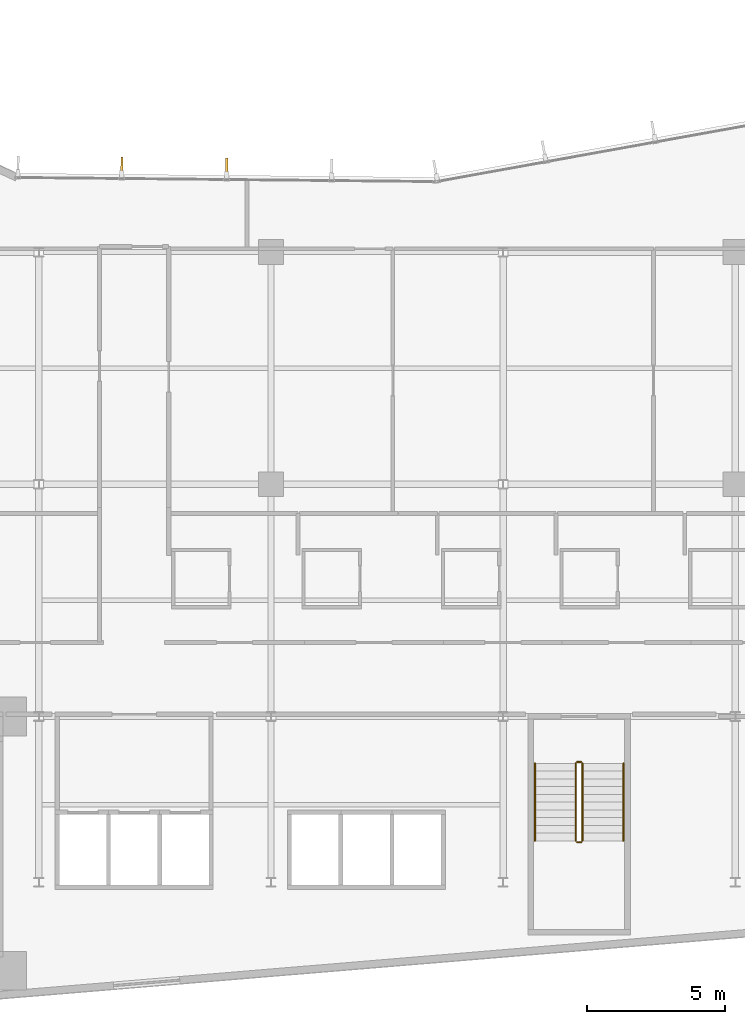
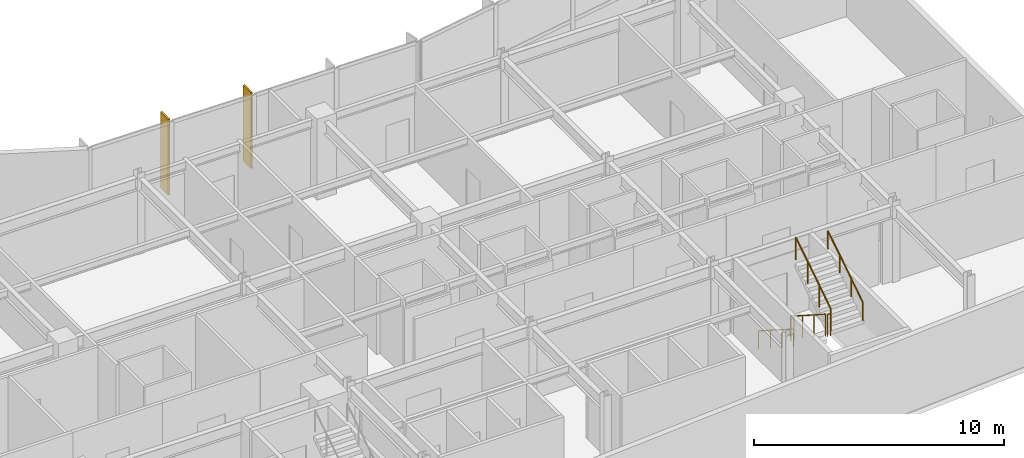
# One storey, part 16 of 19: 6 railings, 2 shading devices.
"""IFC4 building model written with IfcOpenShell, lengths in metres."""

import ifcopenshell
import ifcopenshell.guid

model = None  # the IFC model being written
_history = None  # IfcOwnerHistory: only IFC2X3 demands one
_inside = {}  # id of a spatial element -> (the spatial element, [elements in it])
_under = {}  # id of a project, library or spatial element -> (it, [spatial elements below it])
_declared = {}  # id of a project -> (the project, [libraries it declares])
_typed = {}  # id of a type object -> (the type object, [elements of that type])
_made_of = {}  # id of a material, layer set ... -> (it, [elements and type objects made of it])


def new_model(schema):
    """Start an empty IFC model of exactly this schema.

    Asked for "IFC4X3", IfcOpenShell would pick the latest addendum, in which some entities
    have other attributes; the version numbers below select the first issue.
    IFC2X3 requires an IfcOwnerHistory on every rooted entity: one is made here for all.
    """
    global model, _history
    if schema == "IFC4X3":
        model = ifcopenshell.file(schema_version=(4, 3, 0, 0))
    else:
        model = ifcopenshell.file(schema=schema)
    _inside.clear()
    _under.clear()
    _declared.clear()
    _typed.clear()
    _made_of.clear()
    _history = None
    if model.schema == "IFC2X3":
        org = make("IfcOrganization", Name="unknown")
        user = make(
            "IfcPersonAndOrganization",
            ThePerson=make("IfcPerson", FamilyName="unknown"),
            TheOrganization=org,
        )
        app = make(
            "IfcApplication",
            ApplicationDeveloper=org,
            Version="unknown",
            ApplicationFullName="unknown",
            ApplicationIdentifier="unknown",
        )
        _history = make(
            "IfcOwnerHistory",
            OwningUser=user,
            OwningApplication=app,
            ChangeAction="ADDED",
            CreationDate=0,
        )
    return model


def make(cls, **values):
    """One entity of the class cls with the attributes given. An attribute that is None is left unset."""
    return model.create_entity(
        cls, **{name: value for name, value in values.items() if value is not None}
    )


def rooted(cls, **values):
    """An entity with a GlobalId (a new one), such as an element, a storey or a relation."""
    return make(cls, GlobalId=ifcopenshell.guid.new(), OwnerHistory=_history, **values)


def si_unit(unit_type, name, prefix=None):
    """IfcSIUnit, for example si_unit("LENGTHUNIT", "METRE", prefix="MILLI")."""
    return make("IfcSIUnit", UnitType=unit_type, Prefix=prefix, Name=name)


def assignment(units):
    """IfcUnitAssignment: the units of a project."""
    return None if units is None else make("IfcUnitAssignment", Units=units)


def point(xyz):
    """IfcCartesianPoint."""
    return None if xyz is None else make("IfcCartesianPoint", Coordinates=xyz)


def direction(xyz):
    """IfcDirection."""
    return None if xyz is None else make("IfcDirection", DirectionRatios=xyz)


def frame(location, z_axis=None, x_axis=None):
    """IfcAxis2Placement3D, a coordinate frame: its origin and axes. An axis left out is left unset."""
    return make(
        "IfcAxis2Placement3D",
        Location=point(location),
        Axis=direction(z_axis),
        RefDirection=direction(x_axis),
    )


def frame_2d(location, x_axis=None):
    """IfcAxis2Placement2D, a coordinate frame in the plane: its origin and x axis."""
    return make(
        "IfcAxis2Placement2D", Location=point(location), RefDirection=direction(x_axis)
    )


def origin():
    """The frame at (0, 0, 0) with its axes left unset."""
    return frame((0.0, 0.0, 0.0))


def origin_2d():
    """The frame at (0, 0) in the plane with its x axis left unset."""
    return frame_2d((0.0, 0.0))


def place(relative_to, where):
    """IfcLocalPlacement: puts the frame where relative to a parent placement (None: the world)."""
    return make(
        "IfcLocalPlacement", PlacementRelTo=relative_to, RelativePlacement=where
    )


def context(
    kind, dimensions, precision=None, world=None, true_north=None, identifier=None
):
    """IfcGeometricRepresentationContext, for example the 3D "Model" context."""
    return make(
        "IfcGeometricRepresentationContext",
        ContextIdentifier=identifier,
        ContextType=kind,
        CoordinateSpaceDimension=dimensions,
        Precision=precision,
        WorldCoordinateSystem=world,
        TrueNorth=true_north,
    )


def subcontext(parent, identifier, kind, view, scale=None):
    """IfcGeometricRepresentationSubContext, for example "Body" below "Model"."""
    return make(
        "IfcGeometricRepresentationSubContext",
        ContextIdentifier=identifier,
        ContextType=kind,
        ParentContext=parent,
        TargetScale=scale,
        TargetView=view,
    )


def project(units=None, contexts=None):
    """IfcProject with its units and contexts."""
    return rooted(
        "IfcProject",
        Name="project",
        RepresentationContexts=contexts,
        UnitsInContext=assignment(units),
    )


def spatial(cls, under=None, at=None, **own):
    """A site, building, storey or space (cls), placed at a placement, below another one or the project."""
    s = rooted(cls, ObjectPlacement=at, **own)
    if under is not None:
        _under.setdefault(under.id(), (under, []))[1].append(s)
    return s


def profile(cls, at=None, kind="AREA", **sizes):
    """A parametric profile (cls). Its sizes go by their IFC names, for example OverallWidth=200.0."""
    return make(cls, ProfileType=kind, Position=at, **sizes)


def rectangle(**sizes):
    """IfcRectangleProfileDef."""
    return profile("IfcRectangleProfileDef", **sizes)


def circle(**sizes):
    """IfcCircleProfileDef."""
    return profile("IfcCircleProfileDef", **sizes)


def extrude(swept, where, along, depth):
    """IfcExtrudedAreaSolid: the profile swept, set in the frame where, extruded along a direction by depth."""
    return make(
        "IfcExtrudedAreaSolid",
        SweptArea=swept,
        Position=where,
        ExtrudedDirection=direction(along),
        Depth=depth,
    )


def shape(context_of_items, identifier, shape_type, items):
    """IfcShapeRepresentation: the items that make up one representation, for example the "Body"."""
    return make(
        "IfcShapeRepresentation",
        ContextOfItems=context_of_items,
        RepresentationIdentifier=identifier,
        RepresentationType=shape_type,
        Items=items,
    )


def material(Name=None, Category=None):
    """IfcMaterial."""
    return make("IfcMaterial", Name=Name, Category=Category)


def layer(
    of_material, thickness, ventilated=None, Name=None, Category=None, Priority=None
):
    """IfcMaterialLayer: one layer of a wall or slab, of a material (None: an air gap)."""
    return make(
        "IfcMaterialLayer",
        Material=of_material,
        LayerThickness=thickness,
        IsVentilated=ventilated,
        Name=Name,
        Category=Category,
        Priority=Priority,
    )


def layer_set(layers, Name=None):
    """IfcMaterialLayerSet."""
    return make("IfcMaterialLayerSet", MaterialLayers=layers, LayerSetName=Name)


def made_of(thing, what):
    """Note that an element or type object is made of a material, layer set ...; save() writes the relation."""
    if what is not None:
        _made_of.setdefault(what.id(), (what, []))[1].append(thing)
    return thing


def type_object(cls, material=None, **own):
    """A type object (cls), such as IfcWallType, which elements share."""
    return made_of(rooted(cls, **own), material)


def element(
    cls,
    number,
    at=None,
    inside=None,
    cuts=None,
    type_object=None,
    material=None,
    context=None,
    identifier="Body",
    shape_type=None,
    held_by="IfcProductDefinitionShape",
    body=None,
    shapes=None,
    **own,
):
    """One element of the class cls, such as IfcWall. Its Tag is "e" and its number.

    at: its placement. inside: the storey or other place that contains it. cuts: it is an
    opening in that element (IfcRelVoidsElement). A single representation is given by context,
    identifier, shape_type and body (its items); several are given by shapes. held_by: the class
    of the entity that holds the representations. save() writes the other relations.
    """
    e = rooted(cls, Tag="e%d" % number, ObjectPlacement=at, **own)
    if body is not None:
        shapes = [shape(context, identifier, shape_type, body)]
    if shapes is not None:
        e.Representation = make(held_by, Representations=shapes)
    if inside is not None:
        _inside.setdefault(inside.id(), (inside, []))[1].append(e)
    if cuts is not None:
        rooted(
            "IfcRelVoidsElement", RelatingBuildingElement=cuts, RelatedOpeningElement=e
        )
    if type_object is not None:
        _typed.setdefault(type_object.id(), (type_object, []))[1].append(e)
    return made_of(e, material)


def aggregate(whole, parts):
    """IfcRelAggregates: a whole, such as a stair, and the parts it consists of."""
    return rooted("IfcRelAggregates", RelatingObject=whole, RelatedObjects=parts)


def save(model, path):
    """Write the relations noted so far, then the file.

    IfcRelAggregates (storeys below a building ...), IfcRelContainedInSpatialStructure (elements
    in a storey), IfcRelDefinesByType, IfcRelAssociatesMaterial and IfcRelDeclares: one each for
    every whole, place, type object, material and project.
    """
    for whole, parts in _under.values():
        aggregate(whole, parts)
    for where, things in _inside.values():
        rooted(
            "IfcRelContainedInSpatialStructure",
            RelatedElements=things,
            RelatingStructure=where,
        )
    for kind, things in _typed.values():
        rooted("IfcRelDefinesByType", RelatedObjects=things, RelatingType=kind)
    for what, things in _made_of.values():
        rooted("IfcRelAssociatesMaterial", RelatedObjects=things, RelatingMaterial=what)
    for by, libraries in _declared.values():
        rooted("IfcRelDeclares", RelatingContext=by, RelatedDefinitions=libraries)
    model.write(path)


model = new_model("IFC4")

# Units and contexts
model_context = context("Model", 3, precision=1e-05, world=origin(), true_north=direction((0.0, 1.0)))
body_context = subcontext(model_context, "Body", "Model", "MODEL_VIEW")
ifc_project = project(units=[si_unit("LENGTHUNIT", "METRE"), si_unit("AREAUNIT", "SQUARE_METRE"), si_unit("VOLUMEUNIT", "CUBIC_METRE"), si_unit("PLANEANGLEUNIT", "RADIAN"), si_unit("MASSUNIT", "GRAM", prefix="KILO")], contexts=[model_context])

# Site, building, storey
site_placement = place(None, origin())
site = spatial("IfcSite", under=ifc_project, at=site_placement, CompositionType="ELEMENT")
building_placement = place(site_placement, origin())
building = spatial("IfcBuilding", under=site, at=building_placement, Name="Varnakote Quay Hospital", CompositionType="ELEMENT")
storey_placement = place(building_placement, frame((0.0, 0.0, 50.14990234375)))
storey = spatial("IfcBuildingStorey", under=building, at=storey_placement, Name="L12", CompositionType="ELEMENT", Elevation=50.14990234375)

# Railings
ifc_material_1 = material(Name="Brushed stainless steel balustrade", Category="steel")
railing_type_1 = type_object("IfcRailingType", Name="RLG-STAIR-GUARD-1150", PredefinedType="GUARDRAIL", material=ifc_material_1)
railing_1_placement = place(storey_placement, frame((44.6298828125, 10.300048828125, 0.1796875)))
element("IfcRailing", 1, at=railing_1_placement, inside=storey, type_object=railing_type_1, Name="L12 ST-03 stair guard 1", PredefinedType="GUARDRAIL", context=body_context, shape_type="SweptSolid", body=[
    extrude(circle(Radius=0.02392578125, at=origin_2d()), frame((0.0, 0.0, 1.076171875), z_axis=(0.0, -0.841809871826, 0.539774156196), x_axis=(1.0, 0.0, 0.0)), (0.0, 0.0, 1.0), 3.326171875),
    extrude(circle(Radius=0.02099609375, at=origin_2d()), origin(), (0.0, 0.0, 1.0), 1.052001953125),
    extrude(circle(Radius=0.02099609375, at=origin_2d()), frame((0.0, -0.933349609375, 0.598388671875)), (0.0, 0.0, 1.0), 1.052001953125),
    extrude(circle(Radius=0.02099609375, at=origin_2d()), frame((0.0, -1.86669921875, 1.197021484375)), (0.0, 0.0, 1.0), 1.052001953125),
    extrude(circle(Radius=0.02099609375, at=origin_2d()), frame((0.0, -2.800048828125, 1.79541015625)), (0.0, 0.0, 1.0), 1.052001953125),
])
railing_2_placement = place(storey_placement, frame((44.679931640625, 7.449951171875, 1.97509765625)))
element("IfcRailing", 2, at=railing_2_placement, inside=storey, type_object=railing_type_1, Name="L12 ST-03 stair guard 2", PredefinedType="GUARDRAIL", context=body_context, shape_type="SweptSolid", body=[
    extrude(circle(Radius=0.02392578125, at=origin_2d()), frame((0.0, 0.0, 1.076171875), z_axis=(1.0, 0.0, 0.0), x_axis=(0.0, 1.0, 0.0)), (0.0, 0.0, 1.0), 0.14013671875),
    extrude(circle(Radius=0.02099609375, at=origin_2d()), origin(), (0.0, 0.0, 1.0), 1.052001953125),
    extrude(circle(Radius=0.02099609375, at=origin_2d()), frame((0.14013671875, 0.0, 0.0)), (0.0, 0.0, 1.0), 1.052001953125),
])
railing_3_placement = place(storey_placement, frame((44.8701171875, 7.5, 2.154541015625)))
element("IfcRailing", 3, at=railing_3_placement, inside=storey, type_object=railing_type_1, Name="L12 ST-03 stair guard 3", PredefinedType="GUARDRAIL", context=body_context, shape_type="SweptSolid", body=[
    extrude(circle(Radius=0.02392578125, at=origin_2d()), frame((0.0, 0.0, 1.076171875), z_axis=(0.0, 0.841776520102, 0.539826166654), x_axis=(-1.0, 0.0, 0.0)), (0.0, 0.0, 1.0), 3.326416015625),
    extrude(circle(Radius=0.02099609375, at=origin_2d()), origin(), (0.0, 0.0, 1.0), 1.052001953125),
    extrude(circle(Radius=0.02099609375, at=origin_2d()), frame((0.0, 0.933349609375, 0.5986328125)), (0.0, 0.0, 1.0), 1.052001953125),
    extrude(circle(Radius=0.02099609375, at=origin_2d()), frame((0.0, 1.86669921875, 1.197021484375)), (0.0, 0.0, 1.0), 1.052001953125),
    extrude(circle(Radius=0.02099609375, at=origin_2d()), frame((0.0, 2.800048828125, 1.795654296875)), (0.0, 0.0, 1.0), 1.052001953125),
])
railing_4_placement = place(storey_placement, frame((44.679931640625, 10.35009765625, 0.0)))
element("IfcRailing", 4, at=railing_4_placement, inside=storey, type_object=railing_type_1, Name="L12 ST-03 stair guard 4", PredefinedType="GUARDRAIL", context=body_context, shape_type="SweptSolid", body=[
    extrude(circle(Radius=0.02392578125, at=origin_2d()), frame((0.0, 0.0, 1.076171875), z_axis=(1.0, 0.0, 0.0), x_axis=(0.0, 1.0, 0.0)), (0.0, 0.0, 1.0), 0.14013671875),
    extrude(circle(Radius=0.02099609375, at=origin_2d()), origin(), (0.0, 0.0, 1.0), 1.052001953125),
    extrude(circle(Radius=0.02099609375, at=origin_2d()), frame((0.14013671875, 0.0, 0.0)), (0.0, 0.0, 1.0), 1.052001953125),
])
ifc_material_2 = material(Name="Brushed stainless steel handrail", Category="steel")
railing_type_2 = type_object("IfcRailingType", Name="RLG-STAIR-HND-920", PredefinedType="HANDRAIL", material=ifc_material_2)
railing_5_placement = place(storey_placement, frame((43.14990234375, 10.300048828125, 0.1796875)))
element("IfcRailing", 5, at=railing_5_placement, inside=storey, type_object=railing_type_2, Name="L12 ST-03 stair handrail 1", PredefinedType="HANDRAIL", context=body_context, shape_type="SweptSolid", body=[
    extrude(circle(Radius=0.02392578125, at=origin_2d()), frame((0.0, 0.0, 0.8759765625), z_axis=(0.0, -0.841809871826, 0.539774156196), x_axis=(1.0, 0.0, 0.0)), (0.0, 0.0, 1.0), 3.326171875),
    extrude(circle(Radius=0.02099609375, at=origin_2d()), origin(), (0.0, 0.0, 1.0), 0.851806640625),
    extrude(circle(Radius=0.02099609375, at=origin_2d()), frame((0.0, -0.933349609375, 0.598388671875)), (0.0, 0.0, 1.0), 0.851806640625),
    extrude(circle(Radius=0.02099609375, at=origin_2d()), frame((0.0, -1.86669921875, 1.197021484375)), (0.0, 0.0, 1.0), 0.851806640625),
    extrude(circle(Radius=0.02099609375, at=origin_2d()), frame((0.0, -2.800048828125, 1.79541015625)), (0.0, 0.0, 1.0), 0.851806640625),
])
railing_6_placement = place(storey_placement, frame((46.35009765625, 7.5, 2.154541015625)))
element("IfcRailing", 6, at=railing_6_placement, inside=storey, type_object=railing_type_2, Name="L12 ST-03 stair handrail 2", PredefinedType="HANDRAIL", context=body_context, shape_type="SweptSolid", body=[
    extrude(circle(Radius=0.02392578125, at=origin_2d()), frame((0.0, 0.0, 0.8759765625), z_axis=(0.0, 0.841776520102, 0.539826166654), x_axis=(-1.0, 0.0, 0.0)), (0.0, 0.0, 1.0), 3.326416015625),
    extrude(circle(Radius=0.02099609375, at=origin_2d()), origin(), (0.0, 0.0, 1.0), 0.851806640625),
    extrude(circle(Radius=0.02099609375, at=origin_2d()), frame((0.0, 0.933349609375, 0.5986328125)), (0.0, 0.0, 1.0), 0.851806640625),
    extrude(circle(Radius=0.02099609375, at=origin_2d()), frame((0.0, 1.86669921875, 1.197021484375)), (0.0, 0.0, 1.0), 0.851806640625),
    extrude(circle(Radius=0.02099609375, at=origin_2d()), frame((0.0, 2.800048828125, 1.795654296875)), (0.0, 0.0, 1.0), 0.851806640625),
])

# Shading devices
ifc_material_3 = material(Name="Anodised aluminium 6063-T6 Bronze", Category="aluminium")
ifc_layer = layer(ifc_material_3, 0.0849609375)
ifc_layer_set = layer_set([ifc_layer], Name="Anodised aluminium 6063-T6 Bronze")
shading_device_type = type_object("IfcShadingDeviceType", Name="SHD-BRONZE-FIN-620", PredefinedType="USERDEFINED", material=ifc_layer_set)
for number, where, z_axis, x_axis, name in (
    (7, (32.003173828125, 31.88818359375, 0.0), (0.0, 0.0, 1.0), (-0.009773688199, -0.999952236369, 0.0), "L12 Anodised Bronze Vertical Shading FIN"),
    (8, (28.207763671875, 31.92529296875, 0.0), (0.0, 0.0, 1.0), (-0.009773688199, -0.999952236369, 0.0), "L12 Anodised Bronze Vertical Shading FIN"),
):
    element("IfcShadingDevice", number, at=place(storey_placement, frame(where, z_axis=z_axis, x_axis=x_axis)), inside=storey, type_object=shading_device_type, Name=name, ObjectType="FIN", PredefinedType="USERDEFINED", context=body_context, shape_type="SweptSolid", body=[
        extrude(rectangle(XDim=0.6201171875, YDim=0.0849609375, at=origin_2d()), origin(), (0.0, 0.0, 1.0), 3.7099609375),
    ])

save(model, "model.ifc")
